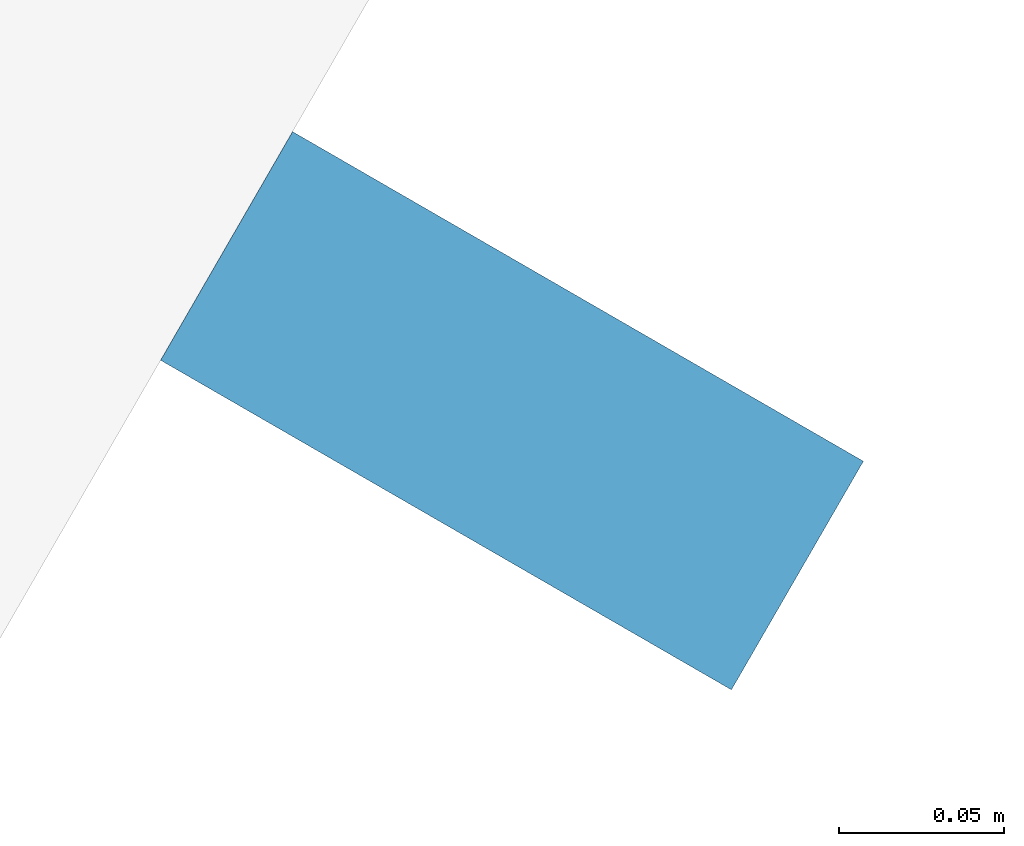
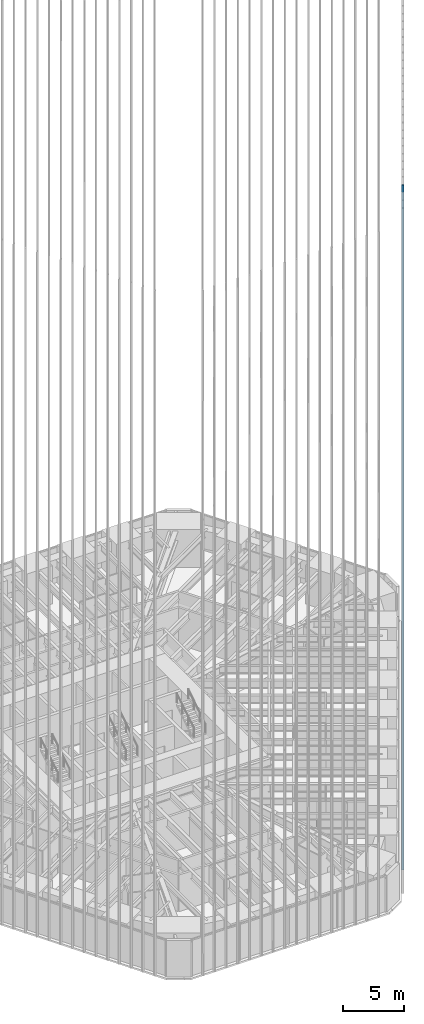
# One storey, part 84 of 256: 1 member, 1 element without a shape of its own.
"""IFC4 building model written with IfcOpenShell, lengths in metres."""

from ifc_helpers import new_model, si_unit, direction, frame, origin, origin_2d, place, context, subcontext, project, spatial, rectangle, extrude, material, material_profile, profile_set, type_object, element, aggregate, save


model = new_model("IFC4")

# Units and contexts
model_context = context("Model", 3, precision=1e-05, world=origin(), true_north=direction((0.0, 1.0)))
body_context = subcontext(model_context, "Body", "Model", "MODEL_VIEW")
ifc_project = project(units=[si_unit("LENGTHUNIT", "METRE"), si_unit("AREAUNIT", "SQUARE_METRE"), si_unit("VOLUMEUNIT", "CUBIC_METRE"), si_unit("PLANEANGLEUNIT", "RADIAN"), si_unit("MASSUNIT", "GRAM", prefix="KILO")], contexts=[model_context])

# Site, building, storey
site_placement = place(None, origin())
site = spatial("IfcSite", under=ifc_project, at=site_placement, CompositionType="ELEMENT")
building_placement = place(site_placement, origin())
building = spatial("IfcBuilding", under=site, at=building_placement, Name="Sandreach Pilgrim Tower", CompositionType="ELEMENT")
storey_placement = place(building_placement, frame((0.0, 0.0, 23.0)))
storey = spatial("IfcBuildingStorey", under=building, at=storey_placement, Name="L04", CompositionType="ELEMENT", Elevation=23.0)

# Curtain wall, member
ifc_material_1 = material(Name="Aluminium framed curtain wall", Category="aluminium")
curtain_wall_type = type_object("IfcCurtainWallType", Name="Hostel tower curtain wall", PredefinedType="NOTDEFINED", material=ifc_material_1)
curtain_wall_placement = place(storey_placement, origin())
curtain_wall = element("IfcCurtainWall", 1, at=curtain_wall_placement, inside=storey, type_object=curtain_wall_type, Name="CW-1 L04 SE", PredefinedType="NOTDEFINED")
ifc_material_2 = material(Name="Extruded terracotta on aluminium core", Category="masonry")
ifc_material_profile = material_profile(ifc_material_2, rectangle(XDim=0.080078125, YDim=0.199951171875, at=origin_2d()), Name="TBE 80X200")
ifc_profile_set = profile_set([ifc_material_profile], Name="Extruded terracotta on aluminium core")
member_type = type_object("IfcMemberType", Name="Terracotta baguette east", PredefinedType="USERDEFINED", material=ifc_profile_set)
member_placement = place(storey_placement, frame((13.346435546875, -25.58056640625, 0.0), z_axis=(0.0, 0.0, 1.0), x_axis=(-0.5, -0.866025403784, 0.0)))
member = element("IfcMember", 2, at=member_placement, type_object=member_type, Name="Baguette Z1 SE32", ObjectType="BAGUETTE", PredefinedType="USERDEFINED", context=body_context, shape_type="SweptSolid", body=[
    extrude(rectangle(XDim=0.080078125, YDim=0.199951171875, at=origin_2d()), origin(), (0.0, 0.0, 1.0), 68.239990234375),
])
aggregate(curtain_wall, [member])

save(model, "model.ifc")
